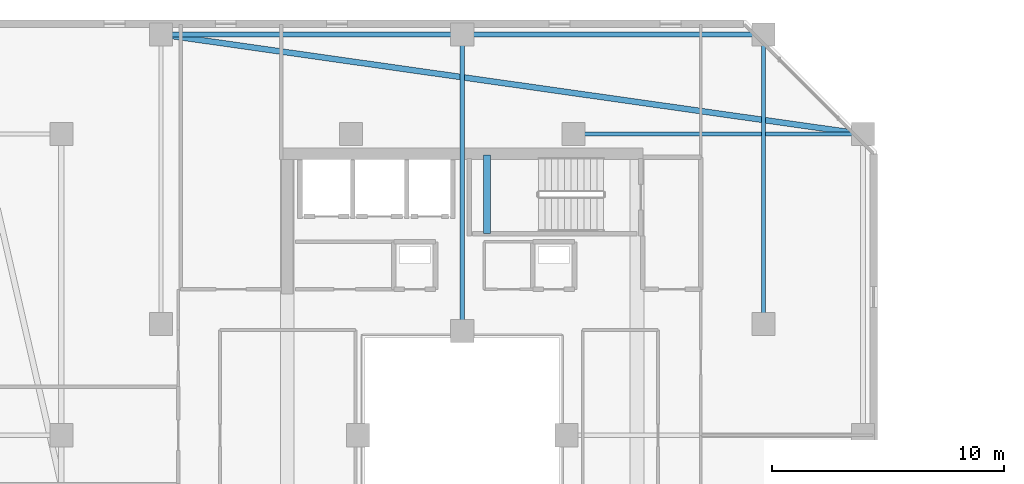
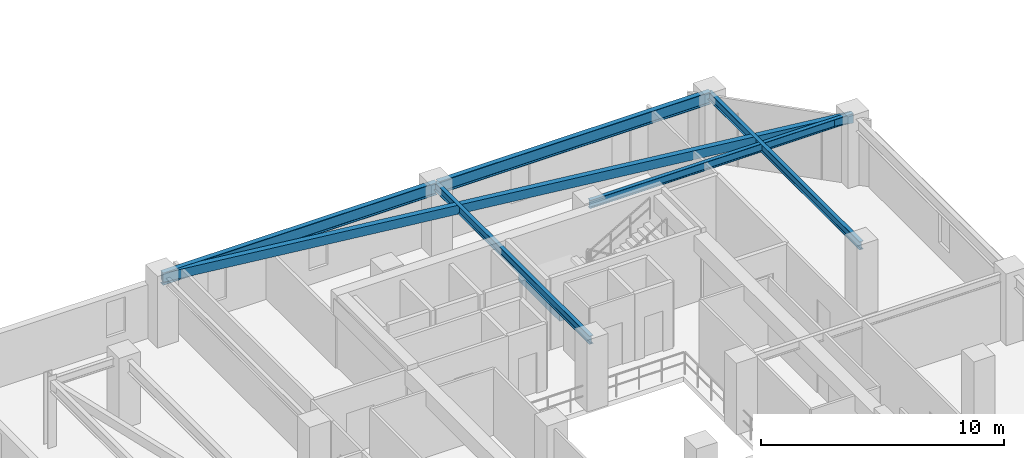
# One storey, part 8 of 31: 7 beams.
"""IFC4 building model written with IfcOpenShell, lengths in metres."""

from ifc_helpers import new_model, si_unit, direction, frame, origin, origin_2d, place, context, subcontext, project, spatial, rectangle, hollow_rectangle, i_section, extrude, material, material_profile, profile_set, type_object, element, save


model = new_model("IFC4")

# Units and contexts
model_context = context("Model", 3, precision=1e-05, world=origin(), true_north=direction((0.0, 1.0)))
body_context = subcontext(model_context, "Body", "Model", "MODEL_VIEW")
ifc_project = project(units=[si_unit("LENGTHUNIT", "METRE"), si_unit("AREAUNIT", "SQUARE_METRE"), si_unit("VOLUMEUNIT", "CUBIC_METRE"), si_unit("PLANEANGLEUNIT", "RADIAN"), si_unit("MASSUNIT", "GRAM", prefix="KILO")], contexts=[model_context])

# Site, building, storey
site_placement = place(None, origin())
site = spatial("IfcSite", under=ifc_project, at=site_placement, CompositionType="ELEMENT")
building_placement = place(site_placement, origin())
building = spatial("IfcBuilding", under=site, at=building_placement, Name="Thornwick Lancets Civic Towers", CompositionType="ELEMENT")
storey_placement = place(building_placement, frame((0.0, 0.0, 236.699951171875)))
storey = spatial("IfcBuildingStorey", under=building, at=storey_placement, Name="L63", CompositionType="ELEMENT", Elevation=236.699951171875)

# Beams
ifc_material_1 = material(Name="Steel S355JR", Category="steel")
ifc_material_profile_1 = material_profile(ifc_material_1, i_section(OverallWidth=0.230224609375, OverallDepth=0.6171875, WebThickness=0.01318359375, FlangeThickness=0.022216796875, FilletRadius=0.0126953125, at=origin_2d()), Name="UKB 610x229x140")
ifc_profile_set_1 = profile_set([ifc_material_profile_1], Name="Steel S355JR")
beam_type_1 = type_object("IfcBeamType", Name="BM_GIRD_610_140", PredefinedType="BEAM", material=ifc_profile_set_1)
beam_1_placement = place(storey_placement, frame((12.5, 44.300048828125, 3.051513671875), z_axis=(1.0, 0.0, 0.0), x_axis=(0.0, 1.0, 0.0)))
element("IfcBeam", 1, at=beam_1_placement, inside=storey, type_object=beam_type_1, Name="BM-SPINE-L63-A-6-7", PredefinedType="BEAM", context=body_context, shape_type="SweptSolid", body=[
    extrude(i_section(OverallWidth=0.230224609375, OverallDepth=0.6171875, WebThickness=0.01318359375, FlangeThickness=0.022216796875, FilletRadius=0.0126953125, at=origin_2d()), origin(), (0.0, 0.0, 1.0), 13.0),
])
beam_2_placement = place(storey_placement, frame((25.580078125, 44.300048828125, 3.051513671875), z_axis=(1.0, 0.0, 0.0), x_axis=(0.0, 1.0, 0.0)))
element("IfcBeam", 2, at=beam_2_placement, inside=storey, type_object=beam_type_1, Name="BM-SPINE-L63-A-7-8", PredefinedType="BEAM", context=body_context, shape_type="SweptSolid", body=[
    extrude(i_section(OverallWidth=0.230224609375, OverallDepth=0.6171875, WebThickness=0.01318359375, FlangeThickness=0.022216796875, FilletRadius=0.0126953125, at=origin_2d()), origin(), (0.0, 0.0, 1.0), 12.919921875),
])
ifc_material_profile_2 = material_profile(ifc_material_1, i_section(OverallWidth=0.179443359375, OverallDepth=0.412841796875, WebThickness=0.009521484375, FlangeThickness=0.01611328125, FilletRadius=0.01025390625, at=origin_2d()), Name="UKB 406x178x74")
ifc_profile_set_2 = profile_set([ifc_material_profile_2], Name="Steel S355JR")
beam_type_2 = type_object("IfcBeamType", Name="BM_JOIST_406_74", PredefinedType="JOIST", material=ifc_profile_set_2)
beam_3_placement = place(storey_placement, frame((30.300048828125, 40.0, 3.153564453125), z_axis=(1.0, 0.0, 0.0), x_axis=(0.0, 1.0, 0.0)))
element("IfcBeam", 3, at=beam_3_placement, inside=storey, type_object=beam_type_2, Name="BM-RADIN-L63-A06", PredefinedType="JOIST", context=body_context, shape_type="SweptSolid", body=[
    extrude(i_section(OverallWidth=0.179443359375, OverallDepth=0.412841796875, WebThickness=0.009521484375, FlangeThickness=0.01611328125, FilletRadius=0.01025390625, at=origin_2d()), origin(), (0.0, 0.0, 1.0), 12.5),
])
beam_4_placement = place(storey_placement, frame((25.5, 31.5, 3.153564453125), z_axis=(0.0, 1.0, 0.0), x_axis=(-1.0, 0.0, 0.0)))
element("IfcBeam", 4, at=beam_4_placement, inside=storey, type_object=beam_type_2, Name="BM-RADIN-L63-A08", PredefinedType="JOIST", context=body_context, shape_type="SweptSolid", body=[
    extrude(i_section(OverallWidth=0.179443359375, OverallDepth=0.412841796875, WebThickness=0.009521484375, FlangeThickness=0.01611328125, FilletRadius=0.01025390625, at=origin_2d()), origin(), (0.0, 0.0, 1.0), 12.800048828125),
])
beam_5_placement = place(storey_placement, frame((38.5, 31.800048828125, 3.153564453125), z_axis=(0.0, 1.0, 0.0), x_axis=(-1.0, 0.0, 0.0)))
element("IfcBeam", 5, at=beam_5_placement, inside=storey, type_object=beam_type_2, Name="BM-RADIN-L63-A09", PredefinedType="JOIST", context=body_context, shape_type="SweptSolid", body=[
    extrude(i_section(OverallWidth=0.179443359375, OverallDepth=0.412841796875, WebThickness=0.009521484375, FlangeThickness=0.01611328125, FilletRadius=0.01025390625, at=origin_2d()), origin(), (0.0, 0.0, 1.0), 12.5),
])
ifc_material_profile_3 = material_profile(ifc_material_1, hollow_rectangle(XDim=0.25, YDim=0.449951171875, WallThickness=0.01611328125, at=origin_2d()), Name="RHS 450x250x16")
ifc_profile_set_3 = profile_set([ifc_material_profile_3], Name="Steel S355JR")
beam_type_3 = type_object("IfcBeamType", Name="BM_RING_RHS450", PredefinedType="BEAM", material=ifc_profile_set_3)
beam_6_placement = place(storey_placement, frame((42.800048828125, 40.0, 3.135009765625), z_axis=(-0.990079584012, 0.140507712682, 0.0), x_axis=(-0.140507712682, -0.990079584012, 0.0)))
element("IfcBeam", 6, at=beam_6_placement, inside=storey, type_object=beam_type_3, Name="BM-CHAMF-L63-A-C1", PredefinedType="BEAM", context=body_context, shape_type="SweptSolid", body=[
    extrude(hollow_rectangle(XDim=0.25, YDim=0.449951171875, WallThickness=0.01611328125, at=origin_2d()), origin(), (0.0, 0.0, 1.0), 30.603759765625),
])
ifc_material_2 = material(Name="Concrete C40/50", Category="concrete")
ifc_material_profile_4 = material_profile(ifc_material_2, rectangle(XDim=0.300048828125, YDim=0.35009765625, at=origin_2d()), Name="RC 300x350")
ifc_profile_set_4 = profile_set([ifc_material_profile_4], Name="Concrete C40/50")
beam_type_4 = type_object("IfcBeamType", Name="BM_STAIR_LDG", PredefinedType="BEAM", material=ifc_profile_set_4)
beam_7_placement = place(storey_placement, frame((26.56494140625, 39.10009765625, 1.3779296875), z_axis=(0.0, -1.0, 0.0), x_axis=(1.0, 0.0, 0.0)))
element("IfcBeam", 7, at=beam_7_placement, inside=storey, type_object=beam_type_4, Name="L63 ST-A2 Landing Support Beam 1", PredefinedType="BEAM", context=body_context, shape_type="SweptSolid", body=[
    extrude(rectangle(XDim=0.300048828125, YDim=0.35009765625, at=origin_2d()), origin(), (0.0, 0.0, 1.0), 3.400146484375),
])

save(model, "model.ifc")
